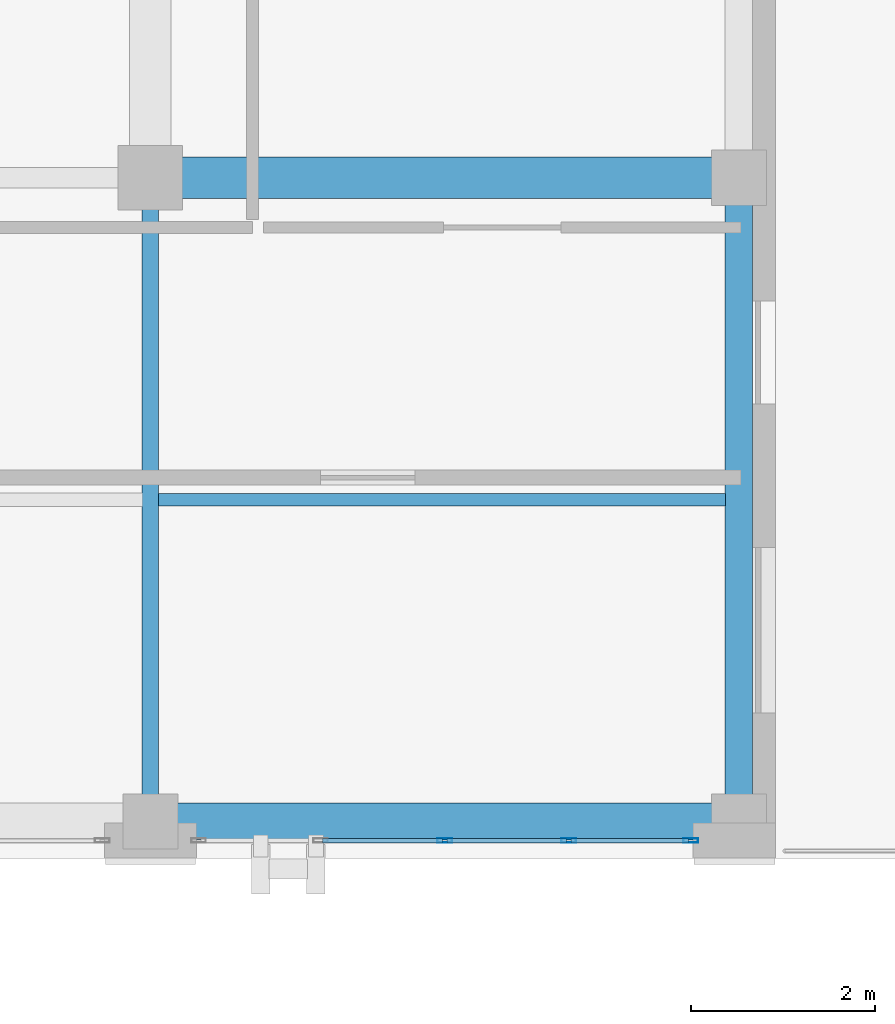
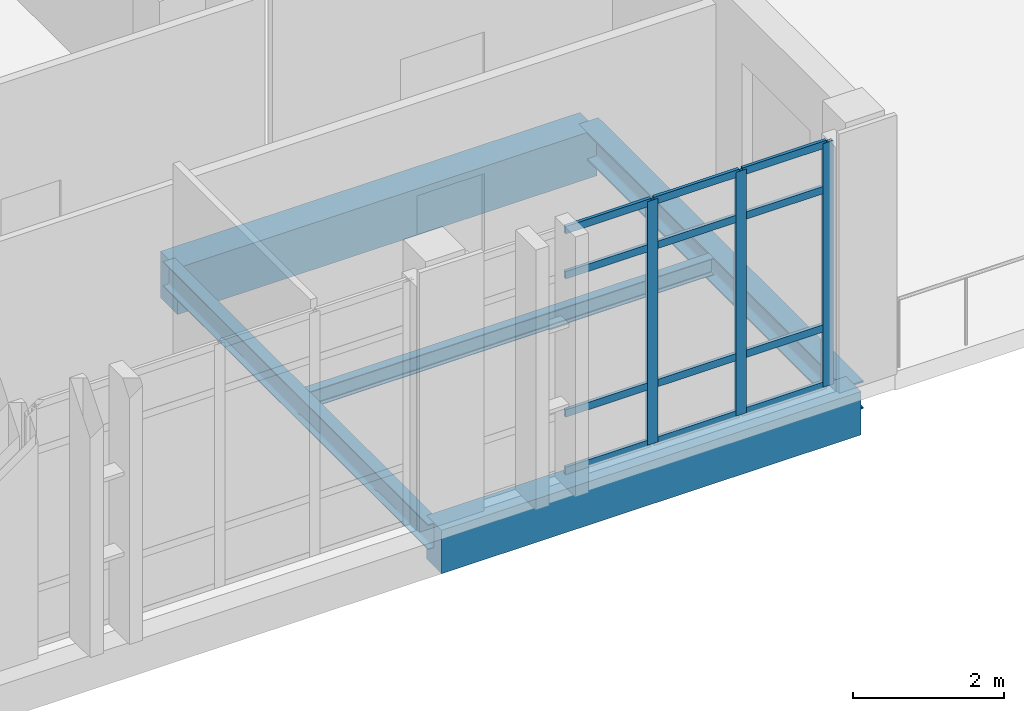
# One storey, part 43 of 90: 15 members, 5 beams, 1 element without a shape of its own.
"""IFC4 building model written with IfcOpenShell, lengths in metres."""

from ifc_helpers import new_model, si_unit, direction, frame, origin, origin_2d, place, context, subcontext, project, spatial, rectangle, hollow_rectangle, i_section, extrude, material, layer, layer_set, material_profile, profile_set, type_object, element, aggregate, save


model = new_model("IFC4")

# Units and contexts
model_context = context("Model", 3, precision=1e-05, world=origin(), true_north=direction((0.0, 1.0)))
body_context = subcontext(model_context, "Body", "Model", "MODEL_VIEW")
ifc_project = project(units=[si_unit("LENGTHUNIT", "METRE"), si_unit("AREAUNIT", "SQUARE_METRE"), si_unit("VOLUMEUNIT", "CUBIC_METRE"), si_unit("PLANEANGLEUNIT", "RADIAN"), si_unit("MASSUNIT", "GRAM", prefix="KILO")], contexts=[model_context])

# Site, building, storey
site_placement = place(None, origin())
site = spatial("IfcSite", under=ifc_project, at=site_placement, CompositionType="ELEMENT")
building_placement = place(site_placement, origin())
building = spatial("IfcBuilding", under=site, at=building_placement, Name="Qalavern Law Courts", CompositionType="ELEMENT")
storey_placement = place(building_placement, frame((0.0, 0.0, 22.800048828125)))
storey = spatial("IfcBuildingStorey", under=building, at=storey_placement, Name="L05", CompositionType="ELEMENT", Elevation=22.800048828125)

# Curtain wall, members
ifc_material_1 = material(Name="Anodised aluminium and insulated glazing", Category="aluminium")
ifc_layer = layer(ifc_material_1, 0.166015625)
ifc_layer_set = layer_set([ifc_layer], Name="Anodised aluminium and insulated glazing")
curtain_wall_type = type_object("IfcCurtainWallType", Name="ENV-CW-LIB", PredefinedType="USERDEFINED", material=ifc_layer_set)
curtain_wall_placement = place(storey_placement, origin())
curtain_wall = element("IfcCurtainWall", 1, at=curtain_wall_placement, inside=storey, type_object=curtain_wall_type, Name="V5 unitised curtain wall L05 south 5", ObjectType="UNITISED CURTAIN WALL", PredefinedType="USERDEFINED")
ifc_material_2 = material(Name="Anodised aluminium", Category="aluminium")
ifc_material_profile_1 = material_profile(ifc_material_2, hollow_rectangle(XDim=0.048095703125, YDim=0.159912109375, WallThickness=0.00390625, at=origin_2d()), Name="ALU MULLION 48x160")
ifc_profile_set_1 = profile_set([ifc_material_profile_1], Name="Anodised aluminium")
member_type_1 = type_object("IfcMemberType", Name="ENV-CWM-48x160", PredefinedType="MULLION", material=ifc_profile_set_1)
member_1_placement = place(storey_placement, frame((54.800048828125, 96.392578125, 0.0), z_axis=(0.0, 0.0, 1.0), x_axis=(0.0, 1.0, 0.0)))
member_1 = element("IfcMember", 2, at=member_1_placement, type_object=member_type_1, Name="CW-05 mullion 3", PredefinedType="MULLION", context=body_context, shape_type="SweptSolid", body=[
    extrude(hollow_rectangle(XDim=0.048095703125, YDim=0.159912109375, WallThickness=0.00390625, at=origin_2d()), origin(), (0.0, 0.0, 1.0), 3.929931640625),
])
member_2_placement = place(storey_placement, frame((56.14990234375, 96.392578125, 0.0), z_axis=(0.0, 0.0, 1.0), x_axis=(0.0, 1.0, 0.0)))
member_2 = element("IfcMember", 3, at=member_2_placement, type_object=member_type_1, Name="CW-05 mullion 4", PredefinedType="MULLION", context=body_context, shape_type="SweptSolid", body=[
    extrude(hollow_rectangle(XDim=0.048095703125, YDim=0.159912109375, WallThickness=0.00390625, at=origin_2d()), origin(), (0.0, 0.0, 1.0), 3.929931640625),
])
member_3_placement = place(storey_placement, frame((57.47607421875, 96.392578125, 0.0), z_axis=(0.0, 0.0, 1.0), x_axis=(0.0, 1.0, 0.0)))
member_3 = element("IfcMember", 4, at=member_3_placement, type_object=member_type_1, Name="CW-05 mullion 5", PredefinedType="MULLION", context=body_context, shape_type="SweptSolid", body=[
    extrude(hollow_rectangle(XDim=0.048095703125, YDim=0.159912109375, WallThickness=0.00390625, at=origin_2d()), origin(), (0.0, 0.0, 1.0), 3.929931640625),
])
ifc_material_profile_2 = material_profile(ifc_material_2, hollow_rectangle(XDim=0.048095703125, YDim=0.1201171875, WallThickness=0.00390625, at=origin_2d()), Name="ALU TRANSOM 48x120")
ifc_profile_set_2 = profile_set([ifc_material_profile_2], Name="Anodised aluminium")
member_type_2 = type_object("IfcMemberType", Name="ENV-CWT-48x120", PredefinedType="USERDEFINED", material=ifc_profile_set_2)
member_4_placement = place(storey_placement, frame((53.47412109375, 96.392578125, 0.02392578125), z_axis=(1.0, 0.0, 0.0), x_axis=(0.0, 1.0, 0.0)))
member_4 = element("IfcMember", 5, at=member_4_placement, type_object=member_type_2, Name="CW-05 transom 2.1", ObjectType="TRANSOM", PredefinedType="USERDEFINED", context=body_context, shape_type="SweptSolid", body=[
    extrude(hollow_rectangle(XDim=0.048095703125, YDim=0.1201171875, WallThickness=0.00390625, at=origin_2d()), origin(), (0.0, 0.0, 1.0), 1.3017578125),
])
member_5_placement = place(storey_placement, frame((53.47412109375, 96.392578125, 0.949951171875), z_axis=(1.0, 0.0, 0.0), x_axis=(0.0, 1.0, 0.0)))
member_5 = element("IfcMember", 6, at=member_5_placement, type_object=member_type_2, Name="CW-05 transom 2.2", ObjectType="TRANSOM", PredefinedType="USERDEFINED", context=body_context, shape_type="SweptSolid", body=[
    extrude(hollow_rectangle(XDim=0.048095703125, YDim=0.1201171875, WallThickness=0.00390625, at=origin_2d()), origin(), (0.0, 0.0, 1.0), 1.3017578125),
])
member_6_placement = place(storey_placement, frame((53.47412109375, 96.392578125, 3.179931640625), z_axis=(1.0, 0.0, 0.0), x_axis=(0.0, 1.0, 0.0)))
member_6 = element("IfcMember", 7, at=member_6_placement, type_object=member_type_2, Name="CW-05 transom 2.3", ObjectType="TRANSOM", PredefinedType="USERDEFINED", context=body_context, shape_type="SweptSolid", body=[
    extrude(hollow_rectangle(XDim=0.048095703125, YDim=0.1201171875, WallThickness=0.00390625, at=origin_2d()), origin(), (0.0, 0.0, 1.0), 1.3017578125),
])
member_7_placement = place(storey_placement, frame((53.47412109375, 96.392578125, 3.906005859375), z_axis=(1.0, 0.0, 0.0), x_axis=(0.0, 1.0, 0.0)))
member_7 = element("IfcMember", 8, at=member_7_placement, type_object=member_type_2, Name="CW-05 transom 2.4", ObjectType="TRANSOM", PredefinedType="USERDEFINED", context=body_context, shape_type="SweptSolid", body=[
    extrude(hollow_rectangle(XDim=0.048095703125, YDim=0.1201171875, WallThickness=0.00390625, at=origin_2d()), origin(), (0.0, 0.0, 1.0), 1.3017578125),
])
member_8_placement = place(storey_placement, frame((54.823974609375, 96.392578125, 0.02392578125), z_axis=(1.0, 0.0, 0.0), x_axis=(0.0, 1.0, 0.0)))
member_8 = element("IfcMember", 9, at=member_8_placement, type_object=member_type_2, Name="CW-05 transom 3.1", ObjectType="TRANSOM", PredefinedType="USERDEFINED", context=body_context, shape_type="SweptSolid", body=[
    extrude(hollow_rectangle(XDim=0.048095703125, YDim=0.1201171875, WallThickness=0.00390625, at=origin_2d()), origin(), (0.0, 0.0, 1.0), 1.302001953125),
])
member_9_placement = place(storey_placement, frame((54.823974609375, 96.392578125, 0.949951171875), z_axis=(1.0, 0.0, 0.0), x_axis=(0.0, 1.0, 0.0)))
member_9 = element("IfcMember", 10, at=member_9_placement, type_object=member_type_2, Name="CW-05 transom 3.2", ObjectType="TRANSOM", PredefinedType="USERDEFINED", context=body_context, shape_type="SweptSolid", body=[
    extrude(hollow_rectangle(XDim=0.048095703125, YDim=0.1201171875, WallThickness=0.00390625, at=origin_2d()), origin(), (0.0, 0.0, 1.0), 1.302001953125),
])
member_10_placement = place(storey_placement, frame((54.823974609375, 96.392578125, 3.179931640625), z_axis=(1.0, 0.0, 0.0), x_axis=(0.0, 1.0, 0.0)))
member_10 = element("IfcMember", 11, at=member_10_placement, type_object=member_type_2, Name="CW-05 transom 3.3", ObjectType="TRANSOM", PredefinedType="USERDEFINED", context=body_context, shape_type="SweptSolid", body=[
    extrude(hollow_rectangle(XDim=0.048095703125, YDim=0.1201171875, WallThickness=0.00390625, at=origin_2d()), origin(), (0.0, 0.0, 1.0), 1.302001953125),
])
member_11_placement = place(storey_placement, frame((54.823974609375, 96.392578125, 3.906005859375), z_axis=(1.0, 0.0, 0.0), x_axis=(0.0, 1.0, 0.0)))
member_11 = element("IfcMember", 12, at=member_11_placement, type_object=member_type_2, Name="CW-05 transom 3.4", ObjectType="TRANSOM", PredefinedType="USERDEFINED", context=body_context, shape_type="SweptSolid", body=[
    extrude(hollow_rectangle(XDim=0.048095703125, YDim=0.1201171875, WallThickness=0.00390625, at=origin_2d()), origin(), (0.0, 0.0, 1.0), 1.302001953125),
])
member_12_placement = place(storey_placement, frame((56.174072265625, 96.392578125, 0.02392578125), z_axis=(1.0, 0.0, 0.0), x_axis=(0.0, 1.0, 0.0)))
member_12 = element("IfcMember", 13, at=member_12_placement, type_object=member_type_2, Name="CW-05 transom 4.1", ObjectType="TRANSOM", PredefinedType="USERDEFINED", context=body_context, shape_type="SweptSolid", body=[
    extrude(hollow_rectangle(XDim=0.048095703125, YDim=0.1201171875, WallThickness=0.00390625, at=origin_2d()), origin(), (0.0, 0.0, 1.0), 1.27783203125),
])
member_13_placement = place(storey_placement, frame((56.174072265625, 96.392578125, 0.949951171875), z_axis=(1.0, 0.0, 0.0), x_axis=(0.0, 1.0, 0.0)))
member_13 = element("IfcMember", 14, at=member_13_placement, type_object=member_type_2, Name="CW-05 transom 4.2", ObjectType="TRANSOM", PredefinedType="USERDEFINED", context=body_context, shape_type="SweptSolid", body=[
    extrude(hollow_rectangle(XDim=0.048095703125, YDim=0.1201171875, WallThickness=0.00390625, at=origin_2d()), origin(), (0.0, 0.0, 1.0), 1.27783203125),
])
member_14_placement = place(storey_placement, frame((56.174072265625, 96.392578125, 3.179931640625), z_axis=(1.0, 0.0, 0.0), x_axis=(0.0, 1.0, 0.0)))
member_14 = element("IfcMember", 15, at=member_14_placement, type_object=member_type_2, Name="CW-05 transom 4.3", ObjectType="TRANSOM", PredefinedType="USERDEFINED", context=body_context, shape_type="SweptSolid", body=[
    extrude(hollow_rectangle(XDim=0.048095703125, YDim=0.1201171875, WallThickness=0.00390625, at=origin_2d()), origin(), (0.0, 0.0, 1.0), 1.27783203125),
])
member_15_placement = place(storey_placement, frame((56.174072265625, 96.392578125, 3.906005859375), z_axis=(1.0, 0.0, 0.0), x_axis=(0.0, 1.0, 0.0)))
member_15 = element("IfcMember", 16, at=member_15_placement, type_object=member_type_2, Name="CW-05 transom 4.4", ObjectType="TRANSOM", PredefinedType="USERDEFINED", context=body_context, shape_type="SweptSolid", body=[
    extrude(hollow_rectangle(XDim=0.048095703125, YDim=0.1201171875, WallThickness=0.00390625, at=origin_2d()), origin(), (0.0, 0.0, 1.0), 1.27783203125),
])
aggregate(curtain_wall, [member_1, member_2, member_3, member_4, member_5, member_6, member_7, member_8, member_9, member_10, member_11, member_12, member_13, member_14, member_15])

# Beams
ifc_material_3 = material(Name="Steel S355", Category="steel")
ifc_material_profile_3 = material_profile(ifc_material_3, i_section(OverallWidth=0.179931640625, OverallDepth=0.39990234375, WebThickness=0.008544921875, FlangeThickness=0.013427734375, FilletRadius=0.02099609375, at=origin_2d()), Name="IPE 400")
ifc_profile_set_3 = profile_set([ifc_material_profile_3], Name="Steel S355")
beam_type_1 = type_object("IfcBeamType", Name="STR-BM-IPE400", PredefinedType="BEAM", material=ifc_profile_set_3)
beam_1_placement = place(storey_placement, frame((51.60009765625, 96.60009765625, -0.49609375), z_axis=(0.0, 1.0, 0.0), x_axis=(-1.0, 0.0, 0.0)))
element("IfcBeam", 17, at=beam_1_placement, inside=storey, type_object=beam_type_1, Name="V5 Y-beam 4-1 L05", PredefinedType="BEAM", context=body_context, shape_type="SweptSolid", body=[
    extrude(i_section(OverallWidth=0.179931640625, OverallDepth=0.39990234375, WebThickness=0.008544921875, FlangeThickness=0.013427734375, FilletRadius=0.02099609375, at=origin_2d()), origin(), (0.0, 0.0, 1.0), 7.0),
])
ifc_material_4 = material(Name="Concrete C40/50", Category="concrete")
ifc_material_profile_4 = material_profile(ifc_material_4, rectangle(XDim=0.449951171875, YDim=0.75, at=origin_2d()), Name="RC 450x750")
ifc_profile_set_4 = profile_set([ifc_material_profile_4], Name="Concrete C40/50")
beam_type_2 = type_object("IfcBeamType", Name="STR-BM-RC450x750", PredefinedType="BEAM", material=ifc_profile_set_4)
beam_2_placement = place(storey_placement, frame((51.60009765625, 103.60009765625, -0.671142578125), z_axis=(1.0, 0.0, 0.0), x_axis=(0.0, 1.0, 0.0)))
element("IfcBeam", 18, at=beam_2_placement, inside=storey, type_object=beam_type_2, Name="V5 X-beam 2-4 L05", PredefinedType="BEAM", context=body_context, shape_type="SweptSolid", body=[
    extrude(rectangle(XDim=0.449951171875, YDim=0.75, at=origin_2d()), origin(), (0.0, 0.0, 1.0), 6.39990234375),
])
ifc_material_profile_5 = material_profile(ifc_material_3, i_section(OverallWidth=0.135009765625, OverallDepth=0.27001953125, WebThickness=0.006591796875, FlangeThickness=0.01025390625, FilletRadius=0.014892578125, at=origin_2d()), Name="IPE 270")
ifc_profile_set_5 = profile_set([ifc_material_profile_5], Name="Steel S355")
beam_type_3 = type_object("IfcBeamType", Name="STR-JST-IPE270", PredefinedType="JOIST", material=ifc_profile_set_5)
beam_3_placement = place(storey_placement, frame((51.68798828125, 100.10009765625, -0.43115234375), z_axis=(1.0, 0.0, 0.0), x_axis=(0.0, 1.0, 0.0)))
element("IfcBeam", 19, at=beam_3_placement, inside=storey, type_object=beam_type_3, Name="V5 secondary joist 4.1.1 L05", PredefinedType="JOIST", context=body_context, shape_type="SweptSolid", body=[
    extrude(i_section(OverallWidth=0.135009765625, OverallDepth=0.27001953125, WebThickness=0.006591796875, FlangeThickness=0.01025390625, FilletRadius=0.014892578125, at=origin_2d()), origin(), (0.0, 0.0, 1.0), 6.1640625),
])
ifc_material_profile_6 = material_profile(ifc_material_3, i_section(OverallWidth=0.300048828125, OverallDepth=0.449951171875, WebThickness=0.013916015625, FlangeThickness=0.02587890625, FilletRadius=0.027099609375, at=origin_2d()), Name="HEB 450")
ifc_profile_set_6 = profile_set([ifc_material_profile_6], Name="Steel S355")
beam_type_4 = type_object("IfcBeamType", Name="STR-SP-HEB450", PredefinedType="SPANDREL", material=ifc_profile_set_6)
beam_4_placement = place(storey_placement, frame((58.0, 96.60009765625, -0.52099609375), z_axis=(0.0, 1.0, 0.0), x_axis=(-1.0, 0.0, 0.0)))
element("IfcBeam", 20, at=beam_4_placement, inside=storey, type_object=beam_type_4, Name="V5 Y-beam 5-1 L05", PredefinedType="SPANDREL", context=body_context, shape_type="SweptSolid", body=[
    extrude(i_section(OverallWidth=0.300048828125, OverallDepth=0.449951171875, WebThickness=0.013916015625, FlangeThickness=0.02587890625, FilletRadius=0.027099609375, at=origin_2d()), origin(), (0.0, 0.0, 1.0), 7.0),
])
ifc_material_profile_7 = material_profile(ifc_material_4, rectangle(XDim=0.39990234375, YDim=0.699951171875, at=origin_2d()), Name="RC 400x700")
ifc_profile_set_7 = profile_set([ifc_material_profile_7], Name="Concrete C40/50")
beam_type_5 = type_object("IfcBeamType", Name="STR-SP-RC400x700", PredefinedType="SPANDREL", material=ifc_profile_set_7)
beam_5_placement = place(storey_placement, frame((51.60009765625, 96.60009765625, -0.64599609375), z_axis=(1.0, 0.0, 0.0), x_axis=(0.0, 1.0, 0.0)))
element("IfcBeam", 21, at=beam_5_placement, inside=storey, type_object=beam_type_5, Name="V5 X-beam 1-4 L05", PredefinedType="SPANDREL", context=body_context, shape_type="SweptSolid", body=[
    extrude(rectangle(XDim=0.39990234375, YDim=0.699951171875, at=origin_2d()), origin(), (0.0, 0.0, 1.0), 6.39990234375),
])

save(model, "model.ifc")
